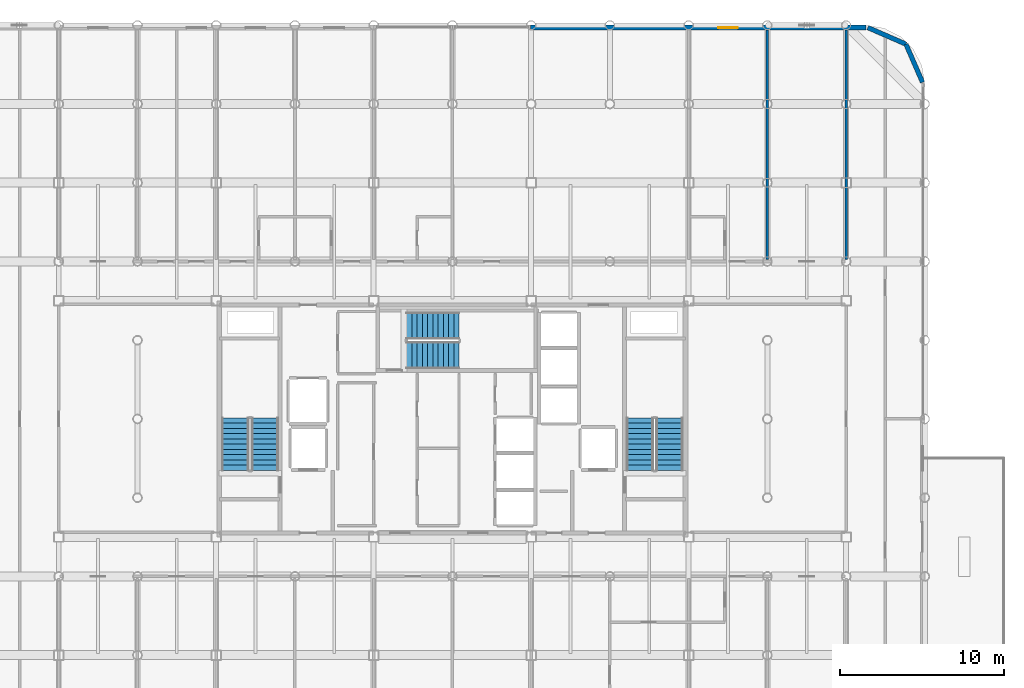
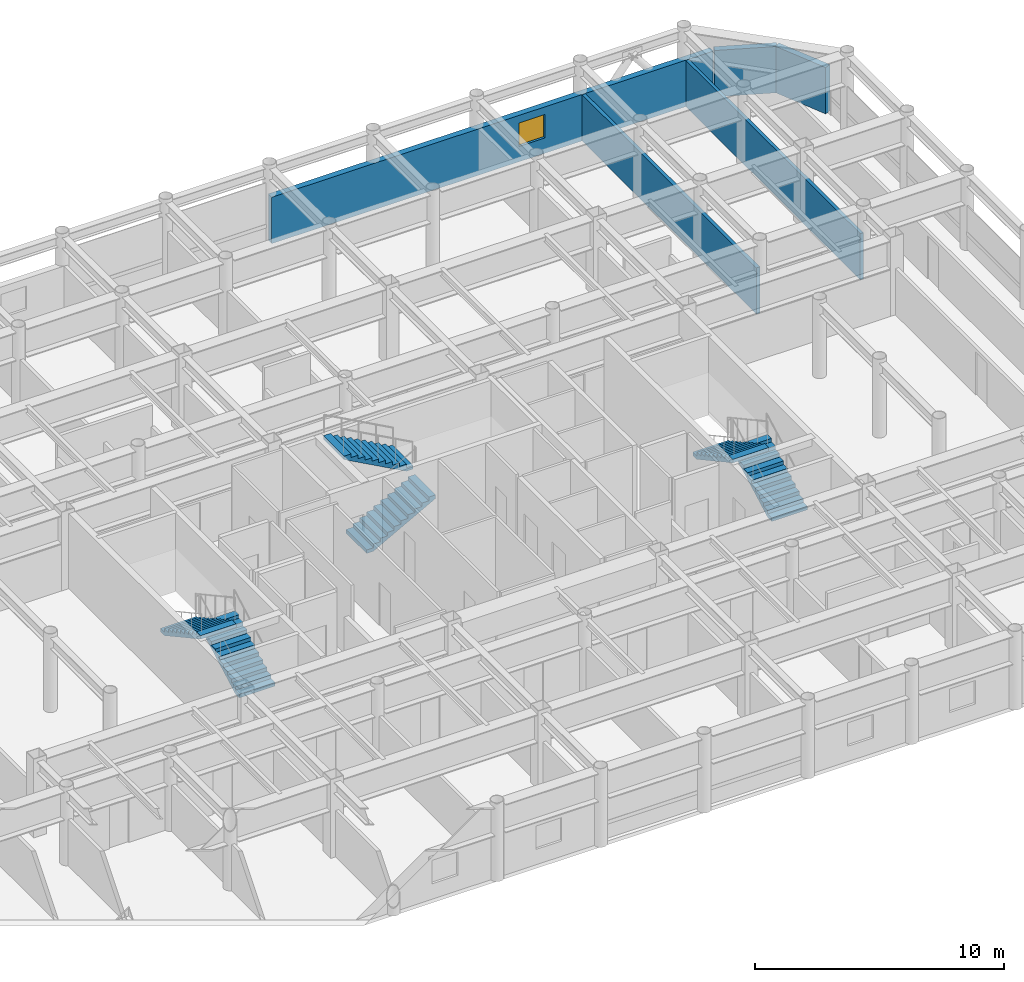
# One storey, part 23 of 25: 6 stair flights, 5 walls, 1 window, 1 opening, 3 elements without a shape of their own.
"""IFC4 building model written with IfcOpenShell, lengths in metres."""

from ifc_helpers import new_model, si_unit, direction, frame, frame_2d, origin, place, context, subcontext, project, spatial, polyline, rectangle, outline, extrude, material, layer, layer_set, type_object, element, fill, aggregate, save


model = new_model("IFC4")

# Units and contexts
model_context = context("Model", 3, precision=1e-05, world=origin(), true_north=direction((0.0, 1.0)))
body_context = subcontext(model_context, "Body", "Model", "MODEL_VIEW")
ifc_project = project(units=[si_unit("LENGTHUNIT", "METRE"), si_unit("AREAUNIT", "SQUARE_METRE"), si_unit("VOLUMEUNIT", "CUBIC_METRE"), si_unit("PLANEANGLEUNIT", "RADIAN"), si_unit("MASSUNIT", "GRAM", prefix="KILO")], contexts=[model_context])

# Site, building, storey
site_placement = place(None, origin())
site = spatial("IfcSite", under=ifc_project, at=site_placement, CompositionType="ELEMENT")
building_placement = place(site_placement, origin())
building = spatial("IfcBuilding", under=site, at=building_placement, Name="Kallvorn Hotel Tower", CompositionType="ELEMENT")
storey_placement = place(building_placement, frame((0.0, 0.0, 249.25)))
storey = spatial("IfcBuildingStorey", under=building, at=storey_placement, Name="L62", CompositionType="ELEMENT", Elevation=249.25)

# Walls
ifc_material_1 = material(Name="Fire-rated double-layer acoustic gypsum drywall EI 60")
ifc_layer_1 = layer(ifc_material_1, 0.159912109375)
ifc_layer_set_1 = layer_set([ifc_layer_1], Name="WL_DEMISE_160")
wall_type_1 = type_object("IfcWallType", Name="WL_DEMISE_160", PredefinedType="PARTITIONING", material=ifc_layer_set_1)
wall_1_placement = place(storey_placement, frame((19.199951171875, 9.719970703125, 0.0), z_axis=(0.0, 0.0, 1.0), x_axis=(0.0, 1.0, 0.0)))
element("IfcWall", 1, at=wall_1_placement, inside=storey, type_object=wall_type_1, Name="L62 Suite 6206 Standard Twin Room Partition", PredefinedType="PARTITIONING", context=body_context, shape_type="SweptSolid", body=[
    extrude(rectangle(XDim=13.989990234375, YDim=0.159912109375, at=frame_2d((6.9951171875, 0.0))), origin(), (0.0, 0.0, 1.0), 2.27001953125),
])
ifc_material_2 = material(Name="Precast basalt-clad insulated concrete wall C40/50", Category="masonry")
ifc_layer_2 = layer(ifc_material_2, 0.280029296875)
ifc_layer_set_2 = layer_set([ifc_layer_2], Name="WL_EXT_LOGGIA_280")
wall_type_2 = type_object("IfcWallType", Name="WL_EXT_LOGGIA_280", PredefinedType="SOLIDWALL", material=ifc_layer_set_2)
wall_2_placement = place(storey_placement, frame((28.657958984375, 20.520751953125, 0.0), z_axis=(0.0, 0.0, 1.0), x_axis=(-0.398792985289, 0.917040977756, 0.0)))
element("IfcWall", 2, at=wall_2_placement, inside=storey, type_object=wall_type_2, Name="L62 Rounded Corner Exterior Wall NE1", PredefinedType="SOLIDWALL", context=body_context, shape_type="SweptSolid", body=[
    extrude(rectangle(XDim=2.536376953125, YDim=0.280029296875, at=frame_2d((1.26806640625, 0.0))), origin(), (0.0, 0.0, 1.0), 2.27001953125),
])
wall_3_placement = place(storey_placement, frame((27.646484375, 22.8466796875, 0.0), z_axis=(0.0, 0.0, 1.0), x_axis=(-0.917060872934, 0.398747232384, 0.0)))
element("IfcWall", 3, at=wall_3_placement, inside=storey, type_object=wall_type_2, Name="L62 Rounded Corner Exterior Wall NE2", PredefinedType="SOLIDWALL", context=body_context, shape_type="SweptSolid", body=[
    extrude(rectangle(XDim=2.5361328125, YDim=0.280029296875, at=frame_2d((1.26806640625, 0.0))), origin(), (0.0, 0.0, 1.0), 2.27001953125),
])

# Wall, opening, window
wall_4_placement = place(storey_placement, frame((4.75, 23.860107421875, 0.0), z_axis=(0.0, 0.0, 1.0), x_axis=(1.0, 0.0, 0.0)))
wall_4 = element("IfcWall", 4, at=wall_4_placement, inside=storey, type_object=wall_type_2, Name="L62 Exterior Envelope Wall EW-L62-NE", PredefinedType="SOLIDWALL", context=body_context, shape_type="SweptSolid", body=[
    extrude(rectangle(XDim=20.449951171875, YDim=0.280029296875, at=frame_2d((10.22509765625, 0.0))), origin(), (0.0, 0.0, 1.0), 2.27001953125),
])
opening_placement = place(wall_4_placement, frame((11.449951171875, 0.0, 0.75)))
opening = element("IfcOpeningElement", 5, at=opening_placement, cuts=wall_4, Name="Opening W06A", PredefinedType="OPENING", context=body_context, shape_type="SweptSolid", body=[
    extrude(rectangle(XDim=1.199951171875, YDim=1.14990234375, at=frame_2d((0.60009765625, 0.574951171875))), frame((0.0, 0.155029296875, 0.0), z_axis=(0.0, -1.0, 0.0), x_axis=(1.0, 0.0, 0.0)), (0.0, 0.0, 1.0), 0.31005859375),
])
ifc_material_3 = material(Name="Triple-glazed low-e acoustic solar-control dark glass", Category="glass")
window_type = type_object("IfcWindowType", Name="WN_HTL_1200x1150", PartitioningType="SINGLE_PANEL", PredefinedType="WINDOW", material=ifc_material_3)
window_placement = place(opening_placement, origin())
window = element("IfcWindow", 6, at=window_placement, inside=storey, type_object=window_type, Name="L62 Guestroom Exterior Window 13", OverallHeight=1.14990234375, OverallWidth=1.199951171875, PartitioningType="SINGLE_PANEL", PredefinedType="WINDOW", context=body_context, shape_type="SweptSolid", body=[
    extrude(rectangle(XDim=1.199951171875, YDim=1.14990234375, at=frame_2d((0.60009765625, 0.574951171875))), frame((0.0, 0.030029296875, 0.0), z_axis=(0.0, -1.0, 0.0), x_axis=(1.0, 0.0, 0.0)), (0.0, 0.0, 1.0), 0.06005859375),
])
fill(opening, window)

# Wall
ifc_material_4 = material(Name="Fire-rated double-layer acoustic gypsum drywall EI 60")
ifc_layer_3 = layer(ifc_material_4, 0.14990234375)
ifc_layer_set_3 = layer_set([ifc_layer_3], Name="WL_PART_150")
wall_type_3 = type_object("IfcWallType", Name="WL_PART_150", PredefinedType="PARTITIONING", material=ifc_layer_set_3)
wall_5_placement = place(storey_placement, frame((24.0, 9.719970703125, 0.0), z_axis=(0.0, 0.0, 1.0), x_axis=(0.0, 1.0, 0.0)))
element("IfcWall", 7, at=wall_5_placement, inside=storey, type_object=wall_type_3, Name="L62 L62 High-Zone North-East Pastry Bar Partition", PredefinedType="PARTITIONING", context=body_context, shape_type="SweptSolid", body=[
    extrude(rectangle(XDim=13.989990234375, YDim=0.14990234375, at=frame_2d((6.9951171875, 0.0))), origin(), (0.0, 0.0, 1.0), 2.27001953125),
])

# Stair, stair flights
ifc_material_5 = material(Name="Precast concrete C40/50", Category="concrete")
stair_type = type_object("IfcStairType", Name="STR_CORE_DOGLEG", PredefinedType="HALF_TURN_STAIR", material=ifc_material_5)
stair_1_placement = place(storey_placement, origin())
stair_1 = element("IfcStair", 8, at=stair_1_placement, inside=storey, type_object=stair_type, Name="L62 Exit stair ST1", PredefinedType="HALF_TURN_STAIR")
ifc_material_6 = material(Name="Precast concrete C40/50", Category="concrete")
stair_flight_type = type_object("IfcStairFlightType", Name="FLT_CORE_1660", PredefinedType="STRAIGHT", material=ifc_material_6)
stair_flight_1_placement = place(storey_placement, frame((-11.429931640625, -3.139892578125, 0.0), z_axis=(0.0, 0.0, 1.0), x_axis=(0.0, 1.0, 0.0)))
stair_flight_1 = element("IfcStairFlight", 9, at=stair_flight_1_placement, type_object=stair_flight_type, Name="ST1 flight 1", NumberOfRisers=11, NumberOfTreads=10, PredefinedType="STRAIGHT", RiserHeight=0.175, TreadLength=0.32, context=body_context, shape_type="SweptSolid", body=[
    extrude(outline(polyline([(0.0, 0.0), (0.0, 0.175048828125), (0.320068359375, 0.175048828125), (0.320068359375, 0.35009765625), (0.639892578125, 0.35009765625), (0.639892578125, 0.52490234375), (0.9599609375, 0.52490234375), (0.9599609375, 0.699951171875), (1.280029296875, 0.699951171875), (1.280029296875, 0.875), (1.60009765625, 0.875), (1.60009765625, 1.050048828125), (1.919921875, 1.050048828125), (1.919921875, 1.22509765625), (2.239990234375, 1.22509765625), (2.239990234375, 1.39990234375), (2.56005859375, 1.39990234375), (2.56005859375, 1.574951171875), (2.8798828125, 1.574951171875), (2.8798828125, 1.75), (3.199951171875, 1.75), (3.199951171875, 1.925048828125), (3.199951171875, 1.5791015625), (0.3125, 0.0), (0.0, 0.0)])), frame((0.0, 0.830078125, 0.0), z_axis=(0.0, -1.0, 0.0), x_axis=(1.0, 0.0, 0.0)), (0.0, 0.0, 1.0), 1.659912109375),
])
stair_flight_2_placement = place(storey_placement, frame((-13.22998046875, 0.06005859375, 1.925048828125), z_axis=(0.0, 0.0, 1.0), x_axis=(0.0, -1.0, 0.0)))
stair_flight_2 = element("IfcStairFlight", 10, at=stair_flight_2_placement, type_object=stair_flight_type, Name="ST1 flight 2", NumberOfRisers=11, NumberOfTreads=10, PredefinedType="STRAIGHT", RiserHeight=0.175, TreadLength=0.32, context=body_context, shape_type="SweptSolid", body=[
    extrude(outline(polyline([(0.0, 0.0), (0.0, 0.175048828125), (0.320068359375, 0.175048828125), (0.320068359375, 0.35009765625), (0.639892578125, 0.35009765625), (0.639892578125, 0.52490234375), (0.9599609375, 0.52490234375), (0.9599609375, 0.699951171875), (1.280029296875, 0.699951171875), (1.280029296875, 0.875), (1.60009765625, 0.875), (1.60009765625, 1.050048828125), (1.919921875, 1.050048828125), (1.919921875, 1.22509765625), (2.239990234375, 1.22509765625), (2.239990234375, 1.39990234375), (2.56005859375, 1.39990234375), (2.56005859375, 1.574951171875), (2.8798828125, 1.574951171875), (2.8798828125, 1.75), (3.199951171875, 1.75), (3.199951171875, 1.925048828125), (3.199951171875, 1.5791015625), (0.3125, 0.0), (0.0, 0.0)])), frame((0.0, 0.830078125, 0.0), z_axis=(0.0, -1.0, 0.0), x_axis=(1.0, 0.0, 0.0)), (0.0, 0.0, 1.0), 1.659912109375),
])
aggregate(stair_1, [stair_flight_1, stair_flight_2])

stair_2_placement = place(storey_placement, origin())
stair_2 = element("IfcStair", 11, at=stair_2_placement, inside=storey, type_object=stair_type, Name="L62 Exit stair ST2", PredefinedType="HALF_TURN_STAIR")
stair_flight_3_placement = place(storey_placement, frame((13.22998046875, -3.139892578125, 0.0), z_axis=(0.0, 0.0, 1.0), x_axis=(0.0, 1.0, 0.0)))
stair_flight_3 = element("IfcStairFlight", 12, at=stair_flight_3_placement, type_object=stair_flight_type, Name="ST2 flight 1", NumberOfRisers=11, NumberOfTreads=10, PredefinedType="STRAIGHT", RiserHeight=0.175, TreadLength=0.32, context=body_context, shape_type="SweptSolid", body=[
    extrude(outline(polyline([(0.0, 0.0), (0.0, 0.175048828125), (0.320068359375, 0.175048828125), (0.320068359375, 0.35009765625), (0.639892578125, 0.35009765625), (0.639892578125, 0.52490234375), (0.9599609375, 0.52490234375), (0.9599609375, 0.699951171875), (1.280029296875, 0.699951171875), (1.280029296875, 0.875), (1.60009765625, 0.875), (1.60009765625, 1.050048828125), (1.919921875, 1.050048828125), (1.919921875, 1.22509765625), (2.239990234375, 1.22509765625), (2.239990234375, 1.39990234375), (2.56005859375, 1.39990234375), (2.56005859375, 1.574951171875), (2.8798828125, 1.574951171875), (2.8798828125, 1.75), (3.199951171875, 1.75), (3.199951171875, 1.925048828125), (3.199951171875, 1.5791015625), (0.3125, 0.0), (0.0, 0.0)])), frame((0.0, 0.830078125, 0.0), z_axis=(0.0, -1.0, 0.0), x_axis=(1.0, 0.0, 0.0)), (0.0, 0.0, 1.0), 1.659912109375),
])
stair_flight_4_placement = place(storey_placement, frame((11.429931640625, 0.06005859375, 1.925048828125), z_axis=(0.0, 0.0, 1.0), x_axis=(0.0, -1.0, 0.0)))
stair_flight_4 = element("IfcStairFlight", 13, at=stair_flight_4_placement, type_object=stair_flight_type, Name="ST2 flight 2", NumberOfRisers=11, NumberOfTreads=10, PredefinedType="STRAIGHT", RiserHeight=0.175, TreadLength=0.32, context=body_context, shape_type="SweptSolid", body=[
    extrude(outline(polyline([(0.0, 0.0), (0.0, 0.175048828125), (0.320068359375, 0.175048828125), (0.320068359375, 0.35009765625), (0.639892578125, 0.35009765625), (0.639892578125, 0.52490234375), (0.9599609375, 0.52490234375), (0.9599609375, 0.699951171875), (1.280029296875, 0.699951171875), (1.280029296875, 0.875), (1.60009765625, 0.875), (1.60009765625, 1.050048828125), (1.919921875, 1.050048828125), (1.919921875, 1.22509765625), (2.239990234375, 1.22509765625), (2.239990234375, 1.39990234375), (2.56005859375, 1.39990234375), (2.56005859375, 1.574951171875), (2.8798828125, 1.574951171875), (2.8798828125, 1.75), (3.199951171875, 1.75), (3.199951171875, 1.925048828125), (3.199951171875, 1.5791015625), (0.3125, 0.0), (0.0, 0.0)])), frame((0.0, 0.830078125, 0.0), z_axis=(0.0, -1.0, 0.0), x_axis=(1.0, 0.0, 0.0)), (0.0, 0.0, 1.0), 1.659912109375),
])
aggregate(stair_2, [stair_flight_3, stair_flight_4])

stair_3_placement = place(storey_placement, origin())
stair_3 = element("IfcStair", 14, at=stair_3_placement, inside=storey, type_object=stair_type, Name="L62 Exit stair ST3", PredefinedType="HALF_TURN_STAIR")
stair_flight_5_placement = place(storey_placement, frame((-2.7900390625, 3.8798828125, 0.0), z_axis=(0.0, 0.0, 1.0), x_axis=(1.0, 0.0, 0.0)))
stair_flight_5 = element("IfcStairFlight", 15, at=stair_flight_5_placement, type_object=stair_flight_type, Name="ST3 flight 1", NumberOfRisers=11, NumberOfTreads=10, PredefinedType="STRAIGHT", RiserHeight=0.175, TreadLength=0.32, context=body_context, shape_type="SweptSolid", body=[
    extrude(outline(polyline([(0.0, 0.0), (0.0, 0.175048828125), (0.320068359375, 0.175048828125), (0.320068359375, 0.35009765625), (0.639892578125, 0.35009765625), (0.639892578125, 0.52490234375), (0.9599609375, 0.52490234375), (0.9599609375, 0.699951171875), (1.280029296875, 0.699951171875), (1.280029296875, 0.875), (1.60009765625, 0.875), (1.60009765625, 1.050048828125), (1.919921875, 1.050048828125), (1.919921875, 1.22509765625), (2.239990234375, 1.22509765625), (2.239990234375, 1.39990234375), (2.56005859375, 1.39990234375), (2.56005859375, 1.574951171875), (2.8798828125, 1.574951171875), (2.8798828125, 1.75), (3.199951171875, 1.75), (3.199951171875, 1.925048828125), (3.199951171875, 1.5791015625), (0.3125, 0.0), (0.0, 0.0)])), frame((0.0, 0.830078125, 0.0), z_axis=(0.0, -1.0, 0.0), x_axis=(1.0, 0.0, 0.0)), (0.0, 0.0, 1.0), 1.659912109375),
])
stair_flight_6_placement = place(storey_placement, frame((0.409912109375, 5.679931640625, 1.925048828125), z_axis=(0.0, 0.0, 1.0), x_axis=(-1.0, 0.0, 0.0)))
stair_flight_6 = element("IfcStairFlight", 16, at=stair_flight_6_placement, type_object=stair_flight_type, Name="ST3 flight 2", NumberOfRisers=11, NumberOfTreads=10, PredefinedType="STRAIGHT", RiserHeight=0.175, TreadLength=0.32, context=body_context, shape_type="SweptSolid", body=[
    extrude(outline(polyline([(0.0, 0.0), (0.0, 0.175048828125), (0.320068359375, 0.175048828125), (0.320068359375, 0.35009765625), (0.639892578125, 0.35009765625), (0.639892578125, 0.52490234375), (0.9599609375, 0.52490234375), (0.9599609375, 0.699951171875), (1.280029296875, 0.699951171875), (1.280029296875, 0.875), (1.60009765625, 0.875), (1.60009765625, 1.050048828125), (1.919921875, 1.050048828125), (1.919921875, 1.22509765625), (2.239990234375, 1.22509765625), (2.239990234375, 1.39990234375), (2.56005859375, 1.39990234375), (2.56005859375, 1.574951171875), (2.8798828125, 1.574951171875), (2.8798828125, 1.75), (3.199951171875, 1.75), (3.199951171875, 1.925048828125), (3.199951171875, 1.5791015625), (0.3125, 0.0), (0.0, 0.0)])), frame((0.0, 0.830078125, 0.0), z_axis=(0.0, -1.0, 0.0), x_axis=(1.0, 0.0, 0.0)), (0.0, 0.0, 1.0), 1.659912109375),
])
aggregate(stair_3, [stair_flight_5, stair_flight_6])

save(model, "model.ifc")
